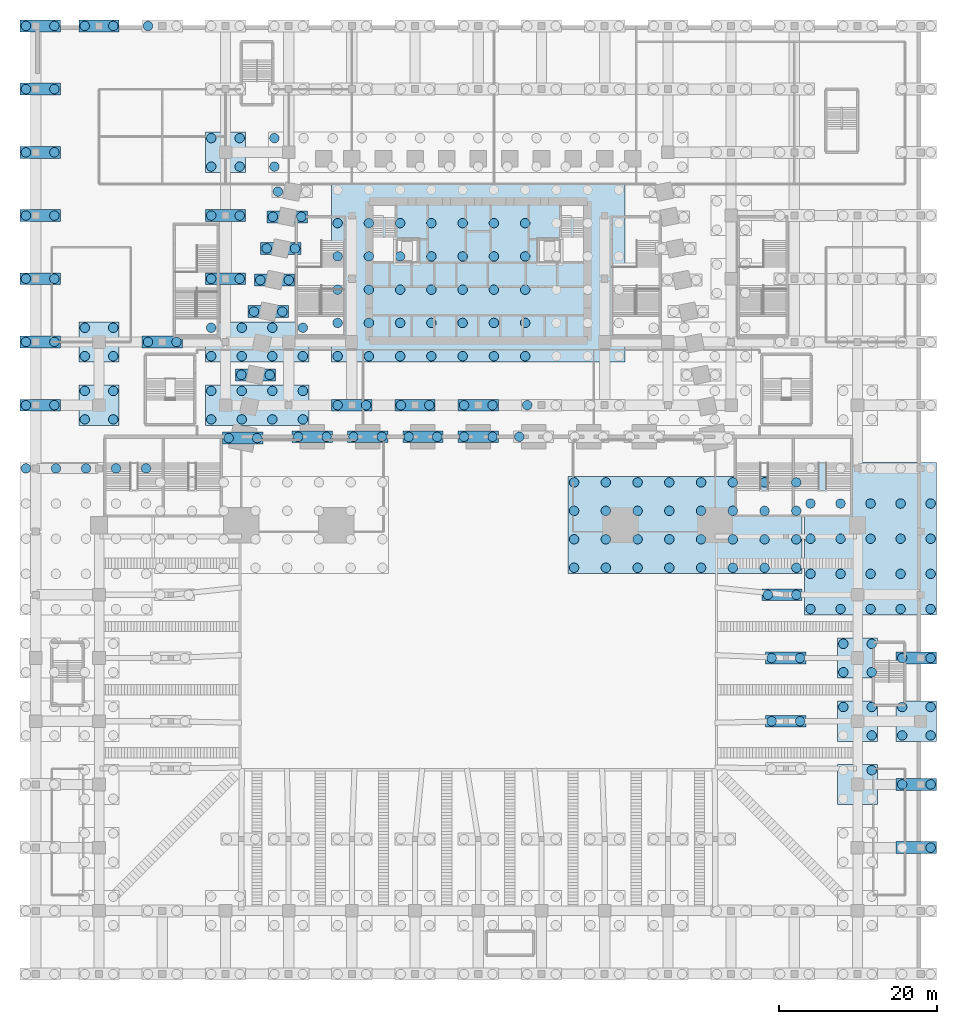
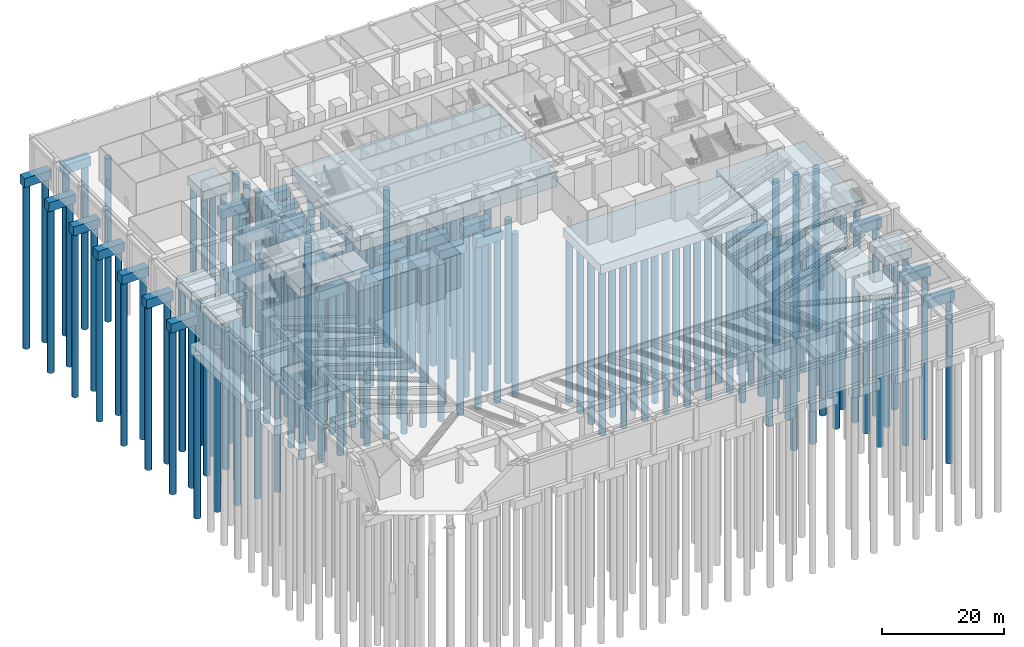
# One storey, part 2 of 30: 197 piles, 42 footings.
"""IFC4 building model written with IfcOpenShell, lengths in metres."""

from ifc_helpers import new_model, si_unit, direction, frame, origin, origin_2d, place, context, subcontext, project, spatial, rectangle, circle, extrude, material, material_profile, profile_set, type_object, element, save


model = new_model("IFC4")

# Units and contexts
model_context = context("Model", 3, precision=1e-05, world=origin(), true_north=direction((0.0, 1.0)))
body_context = subcontext(model_context, "Body", "Model", "MODEL_VIEW")
ifc_project = project(units=[si_unit("LENGTHUNIT", "METRE"), si_unit("AREAUNIT", "SQUARE_METRE"), si_unit("VOLUMEUNIT", "CUBIC_METRE"), si_unit("PLANEANGLEUNIT", "RADIAN"), si_unit("MASSUNIT", "GRAM", prefix="KILO")], contexts=[model_context])

# Site, building, storey
site_placement = place(None, origin())
site = spatial("IfcSite", under=ifc_project, at=site_placement, CompositionType="ELEMENT")
building_placement = place(site_placement, origin())
building = spatial("IfcBuilding", under=site, at=building_placement, Name="Isbrekke Arena Tower", CompositionType="ELEMENT")
storey_placement = place(building_placement, frame((0.0, 0.0, -7.0)))
storey = spatial("IfcBuildingStorey", under=building, at=storey_placement, Name="B1", CompositionType="ELEMENT", Elevation=-7.0)

# Piles
ifc_material_1 = material(Name="Concrete B45 (C45/55)", Category="concrete")
ifc_material_profile = material_profile(ifc_material_1, circle(Radius=0.60009765625, at=origin_2d()), Name="BORED PILE D1200")
ifc_profile_set = profile_set([ifc_material_profile], Name="Concrete B45 (C45/55)")
pile_type = type_object("IfcPileType", Name="P1 BORED PILE 1200", PredefinedType="BORED", material=ifc_profile_set)
for number, where, z_axis, x_axis, name in (
    (1, (57.25, -58.0, -2.300048828125), (0.0, 0.0, -1.0), (1.0, 0.0, 0.0), "P1 pile CAP-034 2.1"),
    (2, (49.800048828125, -48.199951171875, -2.300048828125), (0.0, 0.0, -1.0), (1.0, 0.0, 0.0), "P1 pile CAP-045 2.2"),
    (3, (53.64990234375, -50.0, -2.300048828125), (0.0, 0.0, -1.0), (1.0, 0.0, 0.0), "P1 pile CAP-047 1.1"),
    (4, (57.25, -50.0, -2.300048828125), (0.0, 0.0, -1.0), (1.0, 0.0, 0.0), "P1 pile CAP-047 2.1"),
    (5, (46.199951171875, -40.199951171875, -2.300048828125), (0.0, 0.0, -1.0), (1.0, 0.0, 0.0), "P1 pile CAP-052 1.2"),
    (6, (49.800048828125, -43.800048828125, -2.300048828125), (0.0, 0.0, -1.0), (1.0, 0.0, 0.0), "P1 pile CAP-052 2.1"),
    (7, (49.800048828125, -40.199951171875, -2.300048828125), (0.0, 0.0, -1.0), (1.0, 0.0, 0.0), "P1 pile CAP-052 2.2"),
    (8, (53.64990234375, -43.800048828125, -2.300048828125), (0.0, 0.0, -1.0), (1.0, 0.0, 0.0), "P1 pile CAP-053 1.1"),
    (9, (53.64990234375, -40.199951171875, -2.300048828125), (0.0, 0.0, -1.0), (1.0, 0.0, 0.0), "P1 pile CAP-053 1.2"),
    (10, (57.25, -43.800048828125, -2.300048828125), (0.0, 0.0, -1.0), (1.0, 0.0, 0.0), "P1 pile CAP-053 2.1"),
    (11, (57.25, -40.199951171875, -2.300048828125), (0.0, 0.0, -1.0), (1.0, 0.0, 0.0), "P1 pile CAP-053 2.2"),
    (12, (37.125, -42.0, -2.300048828125), (0.0, 0.0, -1.0), (1.0, 0.0, 0.0), "P1 pile CAP-055 1.1"),
    (13, (40.72509765625, -42.0, -2.300048828125), (0.0, 0.0, -1.0), (1.0, 0.0, 0.0), "P1 pile CAP-055 2.1"),
    (14, (46.199951171875, -35.800048828125, -2.300048828125), (0.0, 0.0, -1.0), (1.0, 0.0, 0.0), "P1 pile CAP-058 1.1"),
    (15, (46.199951171875, -32.199951171875, -2.300048828125), (0.0, 0.0, -1.0), (1.0, 0.0, 0.0), "P1 pile CAP-058 1.2"),
    (16, (49.800048828125, -35.800048828125, -2.300048828125), (0.0, 0.0, -1.0), (1.0, 0.0, 0.0), "P1 pile CAP-058 2.1"),
    (17, (49.800048828125, -32.199951171875, -2.300048828125), (0.0, 0.0, -1.0), (1.0, 0.0, 0.0), "P1 pile CAP-058 2.2"),
    (18, (37.125, -34.0, -2.300048828125), (0.0, 0.0, -1.0), (1.0, 0.0, 0.0), "P1 pile CAP-060 1.1"),
    (19, (40.72509765625, -34.0, -2.300048828125), (0.0, 0.0, -1.0), (1.0, 0.0, 0.0), "P1 pile CAP-060 2.1"),
    (20, (53.64990234375, -34.0, -2.300048828125), (0.0, 0.0, -1.0), (1.0, 0.0, 0.0), "P1 pile CAP-061 1.1"),
    (21, (57.25, -34.0, -2.300048828125), (0.0, 0.0, -1.0), (1.0, 0.0, 0.0), "P1 pile CAP-061 2.1"),
    (22, (-57.25, -10.0, -2.300048828125), (0.0, 0.0, -1.0), (1.0, 0.0, 0.0), "P1 pile CAP-062 1.5"),
    (23, (-53.449951171875, -10.0, -2.300048828125), (0.0, 0.0, -1.0), (1.0, 0.0, 0.0), "P1 pile CAP-062 2.5"),
    (24, (-49.64990234375, -10.0, -2.300048828125), (0.0, 0.0, -1.0), (1.0, 0.0, 0.0), "P1 pile CAP-062 3.5"),
    (25, (-45.85009765625, -10.0, -2.300048828125), (0.0, 0.0, -1.0), (1.0, 0.0, 0.0), "P1 pile CAP-062 4.5"),
    (26, (-42.050048828125, -10.0, -2.300048828125), (0.0, 0.0, -1.0), (1.0, 0.0, 0.0), "P1 pile CAP-062 5.5"),
    (27, (42.050048828125, -27.800048828125, -2.300048828125), (0.0, 0.0, -1.0), (1.0, 0.0, 0.0), "P1 pile CAP-063 1.1"),
    (28, (42.050048828125, -23.35009765625, -2.300048828125), (0.0, 0.0, -1.0), (1.0, 0.0, 0.0), "P1 pile CAP-063 1.2"),
    (29, (42.050048828125, -18.89990234375, -2.300048828125), (0.0, 0.0, -1.0), (1.0, 0.0, 0.0), "P1 pile CAP-063 1.3"),
    (30, (42.050048828125, -14.449951171875, -2.300048828125), (0.0, 0.0, -1.0), (1.0, 0.0, 0.0), "P1 pile CAP-063 1.4"),
    (31, (45.85009765625, -27.800048828125, -2.300048828125), (0.0, 0.0, -1.0), (1.0, 0.0, 0.0), "P1 pile CAP-063 2.1"),
    (32, (45.85009765625, -23.35009765625, -2.300048828125), (0.0, 0.0, -1.0), (1.0, 0.0, 0.0), "P1 pile CAP-063 2.2"),
    (33, (45.85009765625, -18.89990234375, -2.300048828125), (0.0, 0.0, -1.0), (1.0, 0.0, 0.0), "P1 pile CAP-063 2.3"),
    (34, (45.85009765625, -14.449951171875, -2.300048828125), (0.0, 0.0, -1.0), (1.0, 0.0, 0.0), "P1 pile CAP-063 2.4"),
    (35, (49.64990234375, -27.800048828125, -2.300048828125), (0.0, 0.0, -1.0), (1.0, 0.0, 0.0), "P1 pile CAP-063 3.1"),
    (36, (49.64990234375, -23.35009765625, -2.300048828125), (0.0, 0.0, -1.0), (1.0, 0.0, 0.0), "P1 pile CAP-063 3.2"),
    (37, (49.64990234375, -18.89990234375, -2.300048828125), (0.0, 0.0, -1.0), (1.0, 0.0, 0.0), "P1 pile CAP-063 3.3"),
    (38, (49.64990234375, -14.449951171875, -2.300048828125), (0.0, 0.0, -1.0), (1.0, 0.0, 0.0), "P1 pile CAP-063 3.4"),
    (39, (53.449951171875, -27.800048828125, -2.300048828125), (0.0, 0.0, -1.0), (1.0, 0.0, 0.0), "P1 pile CAP-063 4.1"),
    (40, (53.449951171875, -23.35009765625, -2.300048828125), (0.0, 0.0, -1.0), (1.0, 0.0, 0.0), "P1 pile CAP-063 4.2"),
    (41, (53.449951171875, -18.89990234375, -2.300048828125), (0.0, 0.0, -1.0), (1.0, 0.0, 0.0), "P1 pile CAP-063 4.3"),
    (42, (53.449951171875, -14.449951171875, -2.300048828125), (0.0, 0.0, -1.0), (1.0, 0.0, 0.0), "P1 pile CAP-063 4.4"),
    (43, (57.25, -27.800048828125, -2.300048828125), (0.0, 0.0, -1.0), (1.0, 0.0, 0.0), "P1 pile CAP-063 5.1"),
    (44, (57.25, -23.35009765625, -2.300048828125), (0.0, 0.0, -1.0), (1.0, 0.0, 0.0), "P1 pile CAP-063 5.2"),
    (45, (57.25, -18.89990234375, -2.300048828125), (0.0, 0.0, -1.0), (1.0, 0.0, 0.0), "P1 pile CAP-063 5.3"),
    (46, (57.25, -14.449951171875, -2.300048828125), (0.0, 0.0, -1.0), (1.0, 0.0, 0.0), "P1 pile CAP-063 5.4"),
    (47, (36.64990234375, -26.0, -2.300048828125), (0.0, 0.0, -1.0), (1.0, 0.0, 0.0), "P1 pile CAP-065 1.1"),
    (48, (40.25, -26.0, -2.300048828125), (0.0, 0.0, -1.0), (1.0, 0.0, 0.0), "P1 pile CAP-065 2.1"),
    (49, (12.125, -22.574951171875, -2.300048828125), (0.0, 0.0, -1.0), (1.0, 0.0, 0.0), "P1 pile CAP-067 1.1"),
    (50, (12.125, -18.97509765625, -2.300048828125), (0.0, 0.0, -1.0), (1.0, 0.0, 0.0), "P1 pile CAP-067 1.2"),
    (51, (12.125, -15.375, -2.300048828125), (0.0, 0.0, -1.0), (1.0, 0.0, 0.0), "P1 pile CAP-067 1.3"),
    (52, (12.125, -11.77490234375, -2.300048828125), (0.0, 0.0, -1.0), (1.0, 0.0, 0.0), "P1 pile CAP-067 1.4"),
    (53, (16.142822265625, -22.574951171875, -2.300048828125), (0.0, 0.0, -1.0), (1.0, 0.0, 0.0), "P1 pile CAP-067 2.1"),
    (54, (16.142822265625, -18.97509765625, -2.300048828125), (0.0, 0.0, -1.0), (1.0, 0.0, 0.0), "P1 pile CAP-067 2.2"),
    (55, (16.142822265625, -15.375, -2.300048828125), (0.0, 0.0, -1.0), (1.0, 0.0, 0.0), "P1 pile CAP-067 2.3"),
    (56, (16.142822265625, -11.77490234375, -2.300048828125), (0.0, 0.0, -1.0), (1.0, 0.0, 0.0), "P1 pile CAP-067 2.4"),
    (57, (20.16064453125, -22.574951171875, -2.300048828125), (0.0, 0.0, -1.0), (1.0, 0.0, 0.0), "P1 pile CAP-067 3.1"),
    (58, (20.16064453125, -18.97509765625, -2.300048828125), (0.0, 0.0, -1.0), (1.0, 0.0, 0.0), "P1 pile CAP-067 3.2"),
    (59, (20.16064453125, -15.375, -2.300048828125), (0.0, 0.0, -1.0), (1.0, 0.0, 0.0), "P1 pile CAP-067 3.3"),
    (60, (20.16064453125, -11.77490234375, -2.300048828125), (0.0, 0.0, -1.0), (1.0, 0.0, 0.0), "P1 pile CAP-067 3.4"),
    (61, (24.178466796875, -22.574951171875, -2.300048828125), (0.0, 0.0, -1.0), (1.0, 0.0, 0.0), "P1 pile CAP-067 4.1"),
    (62, (24.178466796875, -18.97509765625, -2.300048828125), (0.0, 0.0, -1.0), (1.0, 0.0, 0.0), "P1 pile CAP-067 4.2"),
    (63, (24.178466796875, -15.375, -2.300048828125), (0.0, 0.0, -1.0), (1.0, 0.0, 0.0), "P1 pile CAP-067 4.3"),
    (64, (24.178466796875, -11.77490234375, -2.300048828125), (0.0, 0.0, -1.0), (1.0, 0.0, 0.0), "P1 pile CAP-067 4.4"),
    (65, (28.196533203125, -22.574951171875, -2.300048828125), (0.0, 0.0, -1.0), (1.0, 0.0, 0.0), "P1 pile CAP-067 5.1"),
    (66, (28.196533203125, -18.97509765625, -2.300048828125), (0.0, 0.0, -1.0), (1.0, 0.0, 0.0), "P1 pile CAP-067 5.2"),
    (67, (28.196533203125, -15.375, -2.300048828125), (0.0, 0.0, -1.0), (1.0, 0.0, 0.0), "P1 pile CAP-067 5.3"),
    (68, (28.196533203125, -11.77490234375, -2.300048828125), (0.0, 0.0, -1.0), (1.0, 0.0, 0.0), "P1 pile CAP-067 5.4"),
    (69, (32.21435546875, -22.574951171875, -2.300048828125), (0.0, 0.0, -1.0), (1.0, 0.0, 0.0), "P1 pile CAP-067 6.1"),
    (70, (32.21435546875, -18.97509765625, -2.300048828125), (0.0, 0.0, -1.0), (1.0, 0.0, 0.0), "P1 pile CAP-067 6.2"),
    (71, (32.21435546875, -15.375, -2.300048828125), (0.0, 0.0, -1.0), (1.0, 0.0, 0.0), "P1 pile CAP-067 6.3"),
    (72, (32.21435546875, -11.77490234375, -2.300048828125), (0.0, 0.0, -1.0), (1.0, 0.0, 0.0), "P1 pile CAP-067 6.4"),
    (73, (36.232177734375, -22.574951171875, -2.300048828125), (0.0, 0.0, -1.0), (1.0, 0.0, 0.0), "P1 pile CAP-067 7.1"),
    (74, (36.232177734375, -18.97509765625, -2.300048828125), (0.0, 0.0, -1.0), (1.0, 0.0, 0.0), "P1 pile CAP-067 7.2"),
    (75, (36.232177734375, -15.375, -2.300048828125), (0.0, 0.0, -1.0), (1.0, 0.0, 0.0), "P1 pile CAP-067 7.3"),
    (76, (36.232177734375, -11.77490234375, -2.300048828125), (0.0, 0.0, -1.0), (1.0, 0.0, 0.0), "P1 pile CAP-067 7.4"),
    (77, (40.25, -22.574951171875, -2.300048828125), (0.0, 0.0, -1.0), (1.0, 0.0, 0.0), "P1 pile CAP-067 8.1"),
    (78, (40.25, -18.97509765625, -2.300048828125), (0.0, 0.0, -1.0), (1.0, 0.0, 0.0), "P1 pile CAP-067 8.2"),
    (79, (40.25, -15.375, -2.300048828125), (0.0, 0.0, -1.0), (1.0, 0.0, 0.0), "P1 pile CAP-067 8.3"),
    (80, (40.25, -11.77490234375, -2.300048828125), (0.0, 0.0, -1.0), (1.0, 0.0, 0.0), "P1 pile CAP-067 8.4"),
    (81, (-31.591064453125, -6.161865234375, -2.300048828125), (0.0, 0.0, -1.0), (1.0, 0.0, 0.0), "P1 pile CAP-068 1.1"),
    (82, (-27.990966796875, -6.161865234375, -2.300048828125), (0.0, 0.0, -1.0), (1.0, 0.0, 0.0), "P1 pile CAP-068 2.1"),
    (83, (-22.800048828125, -6.0, -2.300048828125), (0.0, 0.0, -1.0), (1.0, 0.0, 0.0), "P1 pile CAP-070 1.1"),
    (84, (-19.199951171875, -6.0, -2.300048828125), (0.0, 0.0, -1.0), (1.0, 0.0, 0.0), "P1 pile CAP-070 2.1"),
    (85, (-15.800048828125, -6.0, -2.300048828125), (0.0, 0.0, -1.0), (1.0, 0.0, 0.0), "P1 pile CAP-071 1.1"),
    (86, (-12.199951171875, -6.0, -2.300048828125), (0.0, 0.0, -1.0), (1.0, 0.0, 0.0), "P1 pile CAP-071 2.1"),
    (87, (-8.800048828125, -6.0, -2.300048828125), (0.0, 0.0, -1.0), (1.0, 0.0, 0.0), "P1 pile CAP-072 1.1"),
    (88, (-5.199951171875, -6.0, -2.300048828125), (0.0, 0.0, -1.0), (1.0, 0.0, 0.0), "P1 pile CAP-072 2.1"),
    (89, (-1.800048828125, -6.0, -2.300048828125), (0.0, 0.0, -1.0), (1.0, 0.0, 0.0), "P1 pile CAP-073 1.1"),
    (90, (1.800048828125, -6.0, -2.300048828125), (0.0, 0.0, -1.0), (1.0, 0.0, 0.0), "P1 pile CAP-073 2.1"),
    (91, (5.199951171875, -6.0, -2.300048828125), (0.0, 0.0, -1.0), (1.0, 0.0, 0.0), "P1 pile CAP-074 1.1"),
    (92, (-49.800048828125, -3.800048828125, -2.300048828125), (0.0, 0.0, -1.0), (1.0, 0.0, 0.0), "P1 pile CAP-077 1.1"),
    (93, (-49.800048828125, -0.199951171875, -2.300048828125), (0.0, 0.0, -1.0), (1.0, 0.0, 0.0), "P1 pile CAP-077 1.2"),
    (94, (-46.199951171875, -3.800048828125, -2.300048828125), (0.0, 0.0, -1.0), (1.0, 0.0, 0.0), "P1 pile CAP-077 2.1"),
    (95, (-46.199951171875, -0.199951171875, -2.300048828125), (0.0, 0.0, -1.0), (1.0, 0.0, 0.0), "P1 pile CAP-077 2.2"),
    (96, (-33.800048828125, -3.800048828125, -2.300048828125), (0.0, 0.0, -1.0), (1.0, 0.0, 0.0), "P1 pile CAP-078 1.1"),
    (97, (-33.800048828125, -0.199951171875, -2.300048828125), (0.0, 0.0, -1.0), (1.0, 0.0, 0.0), "P1 pile CAP-078 1.2"),
    (98, (-29.933349609375, -3.800048828125, -2.300048828125), (0.0, 0.0, -1.0), (1.0, 0.0, 0.0), "P1 pile CAP-078 2.1"),
    (99, (-29.933349609375, -0.199951171875, -2.300048828125), (0.0, 0.0, -1.0), (1.0, 0.0, 0.0), "P1 pile CAP-078 2.2"),
    (100, (-26.066650390625, -3.800048828125, -2.300048828125), (0.0, 0.0, -1.0), (1.0, 0.0, 0.0), "P1 pile CAP-078 3.1"),
    (101, (-26.066650390625, -0.199951171875, -2.300048828125), (0.0, 0.0, -1.0), (1.0, 0.0, 0.0), "P1 pile CAP-078 3.2"),
    (102, (-22.199951171875, -3.800048828125, -2.300048828125), (0.0, 0.0, -1.0), (1.0, 0.0, 0.0), "P1 pile CAP-078 4.1"),
    (103, (-22.199951171875, -0.199951171875, -2.300048828125), (0.0, 0.0, -1.0), (1.0, 0.0, 0.0), "P1 pile CAP-078 4.2"),
    (104, (-57.25, -2.0, -2.300048828125), (0.0, 0.0, -1.0), (1.0, 0.0, 0.0), "P1 pile CAP-081 1.1"),
    (105, (-53.64990234375, -2.0, -2.300048828125), (0.0, 0.0, -1.0), (1.0, 0.0, 0.0), "P1 pile CAP-081 2.1"),
    (106, (-17.800048828125, -2.0, -2.300048828125), (0.0, 0.0, -1.0), (1.0, 0.0, 0.0), "P1 pile CAP-082 1.1"),
    (107, (-14.199951171875, -2.0, -2.300048828125), (0.0, 0.0, -1.0), (1.0, 0.0, 0.0), "P1 pile CAP-082 2.1"),
    (108, (-9.800048828125, -2.0, -2.300048828125), (0.0, 0.0, -1.0), (1.0, 0.0, 0.0), "P1 pile CAP-083 1.1"),
    (109, (-6.199951171875, -2.0, -2.300048828125), (0.0, 0.0, -1.0), (1.0, 0.0, 0.0), "P1 pile CAP-083 2.1"),
    (110, (-1.800048828125, -2.0, -2.300048828125), (0.0, 0.0, -1.0), (1.0, 0.0, 0.0), "P1 pile CAP-084 1.1"),
    (111, (1.800048828125, -2.0, -2.300048828125), (0.0, 0.0, -1.0), (1.0, 0.0, 0.0), "P1 pile CAP-084 2.1"),
    (112, (6.199951171875, -2.0, -2.300048828125), (0.0, 0.0, -1.0), (1.0, 0.0, 0.0), "P1 pile CAP-085 1.1"),
    (113, (-29.990966796875, 1.838134765625, -2.300048828125), (0.0, 0.0, -1.0), (1.0, 0.0, 0.0), "P1 pile CAP-088 1.1"),
    (114, (-26.39111328125, 1.838134765625, -2.300048828125), (0.0, 0.0, -1.0), (1.0, 0.0, 0.0), "P1 pile CAP-088 2.1"),
    (115, (-49.800048828125, 4.199951171875, -2.300048828125), (0.0, 0.0, -1.0), (1.0, 0.0, 0.0), "P1 pile CAP-090 1.1"),
    (116, (-49.800048828125, 7.800048828125, -2.300048828125), (0.0, 0.0, -1.0), (1.0, 0.0, 0.0), "P1 pile CAP-090 1.2"),
    (117, (-46.199951171875, 4.199951171875, -2.300048828125), (0.0, 0.0, -1.0), (1.0, 0.0, 0.0), "P1 pile CAP-090 2.1"),
    (118, (-46.199951171875, 7.800048828125, -2.300048828125), (0.0, 0.0, -1.0), (1.0, 0.0, 0.0), "P1 pile CAP-090 2.2"),
    (119, (-33.800048828125, 4.199951171875, -2.300048828125), (0.0, 0.0, -1.0), (1.0, 0.0, 0.0), "P1 pile CAP-091 1.1"),
    (120, (-33.800048828125, 7.800048828125, -2.300048828125), (0.0, 0.0, -1.0), (1.0, 0.0, 0.0), "P1 pile CAP-091 1.2"),
    (121, (-29.933349609375, 4.199951171875, -2.300048828125), (0.0, 0.0, -1.0), (1.0, 0.0, 0.0), "P1 pile CAP-091 2.1"),
    (122, (-29.933349609375, 7.800048828125, -2.300048828125), (0.0, 0.0, -1.0), (1.0, 0.0, 0.0), "P1 pile CAP-091 2.2"),
    (123, (-26.066650390625, 4.199951171875, -2.300048828125), (0.0, 0.0, -1.0), (1.0, 0.0, 0.0), "P1 pile CAP-091 3.1"),
    (124, (-26.066650390625, 7.800048828125, -2.300048828125), (0.0, 0.0, -1.0), (1.0, 0.0, 0.0), "P1 pile CAP-091 3.2"),
    (125, (-22.199951171875, 4.199951171875, -2.300048828125), (0.0, 0.0, -1.0), (1.0, 0.0, 0.0), "P1 pile CAP-091 4.1"),
    (126, (-22.199951171875, 7.800048828125, -2.300048828125), (0.0, 0.0, -1.0), (1.0, 0.0, 0.0), "P1 pile CAP-091 4.2"),
):
    element("IfcPile", number, at=place(storey_placement, frame(where, z_axis=z_axis, x_axis=x_axis)), inside=storey, type_object=pile_type, Name=name, PredefinedType="BORED", context=body_context, shape_type="SweptSolid", body=[
        extrude(circle(Radius=0.60009765625, at=origin_2d()), origin(), (0.0, 0.0, 1.0), 32.699951171875),
    ])
for number, where, z_axis, x_axis, name in (
    (127, (-17.800048828125, 4.199951171875, -3.5), (0.0, 0.0, -1.0), (1.0, 0.0, 0.0), "P1 pile CAP-092 1.1"),
    (128, (-17.800048828125, 8.409912109375, -3.5), (0.0, 0.0, -1.0), (1.0, 0.0, 0.0), "P1 pile CAP-092 1.2"),
    (129, (-17.800048828125, 12.6201171875, -3.5), (0.0, 0.0, -1.0), (1.0, 0.0, 0.0), "P1 pile CAP-092 1.3"),
    (130, (-17.800048828125, 16.830078125, -3.5), (0.0, 0.0, -1.0), (1.0, 0.0, 0.0), "P1 pile CAP-092 1.4"),
    (131, (-17.800048828125, 21.0400390625, -3.5), (0.0, 0.0, -1.0), (1.0, 0.0, 0.0), "P1 pile CAP-092 1.5"),
    (132, (-13.844482421875, 4.199951171875, -3.5), (0.0, 0.0, -1.0), (1.0, 0.0, 0.0), "P1 pile CAP-092 2.1"),
    (133, (-13.844482421875, 8.409912109375, -3.5), (0.0, 0.0, -1.0), (1.0, 0.0, 0.0), "P1 pile CAP-092 2.2"),
    (134, (-13.844482421875, 12.6201171875, -3.5), (0.0, 0.0, -1.0), (1.0, 0.0, 0.0), "P1 pile CAP-092 2.3"),
    (135, (-13.844482421875, 16.830078125, -3.5), (0.0, 0.0, -1.0), (1.0, 0.0, 0.0), "P1 pile CAP-092 2.4"),
    (136, (-13.844482421875, 21.0400390625, -3.5), (0.0, 0.0, -1.0), (1.0, 0.0, 0.0), "P1 pile CAP-092 2.5"),
    (137, (-9.888916015625, 4.199951171875, -3.5), (0.0, 0.0, -1.0), (1.0, 0.0, 0.0), "P1 pile CAP-092 3.1"),
    (138, (-9.888916015625, 8.409912109375, -3.5), (0.0, 0.0, -1.0), (1.0, 0.0, 0.0), "P1 pile CAP-092 3.2"),
    (139, (-9.888916015625, 12.6201171875, -3.5), (0.0, 0.0, -1.0), (1.0, 0.0, 0.0), "P1 pile CAP-092 3.3"),
    (140, (-9.888916015625, 16.830078125, -3.5), (0.0, 0.0, -1.0), (1.0, 0.0, 0.0), "P1 pile CAP-092 3.4"),
    (141, (-9.888916015625, 21.0400390625, -3.5), (0.0, 0.0, -1.0), (1.0, 0.0, 0.0), "P1 pile CAP-092 3.5"),
    (142, (-5.933349609375, 4.199951171875, -3.5), (0.0, 0.0, -1.0), (1.0, 0.0, 0.0), "P1 pile CAP-092 4.1"),
    (143, (-5.933349609375, 8.409912109375, -3.5), (0.0, 0.0, -1.0), (1.0, 0.0, 0.0), "P1 pile CAP-092 4.2"),
    (144, (-5.933349609375, 12.6201171875, -3.5), (0.0, 0.0, -1.0), (1.0, 0.0, 0.0), "P1 pile CAP-092 4.3"),
    (145, (-5.933349609375, 16.830078125, -3.5), (0.0, 0.0, -1.0), (1.0, 0.0, 0.0), "P1 pile CAP-092 4.4"),
    (146, (-5.933349609375, 21.0400390625, -3.5), (0.0, 0.0, -1.0), (1.0, 0.0, 0.0), "P1 pile CAP-092 4.5"),
    (147, (-1.977783203125, 4.199951171875, -3.5), (0.0, 0.0, -1.0), (1.0, 0.0, 0.0), "P1 pile CAP-092 5.1"),
    (148, (-1.977783203125, 8.409912109375, -3.5), (0.0, 0.0, -1.0), (1.0, 0.0, 0.0), "P1 pile CAP-092 5.2"),
    (149, (-1.977783203125, 12.6201171875, -3.5), (0.0, 0.0, -1.0), (1.0, 0.0, 0.0), "P1 pile CAP-092 5.3"),
    (150, (-1.977783203125, 16.830078125, -3.5), (0.0, 0.0, -1.0), (1.0, 0.0, 0.0), "P1 pile CAP-092 5.4"),
    (151, (-1.977783203125, 21.0400390625, -3.5), (0.0, 0.0, -1.0), (1.0, 0.0, 0.0), "P1 pile CAP-092 5.5"),
    (152, (1.977783203125, 4.199951171875, -3.5), (0.0, 0.0, -1.0), (1.0, 0.0, 0.0), "P1 pile CAP-092 6.1"),
    (153, (1.977783203125, 8.409912109375, -3.5), (0.0, 0.0, -1.0), (1.0, 0.0, 0.0), "P1 pile CAP-092 6.2"),
    (154, (1.977783203125, 12.6201171875, -3.5), (0.0, 0.0, -1.0), (1.0, 0.0, 0.0), "P1 pile CAP-092 6.3"),
    (155, (1.977783203125, 16.830078125, -3.5), (0.0, 0.0, -1.0), (1.0, 0.0, 0.0), "P1 pile CAP-092 6.4"),
    (156, (1.977783203125, 21.0400390625, -3.5), (0.0, 0.0, -1.0), (1.0, 0.0, 0.0), "P1 pile CAP-092 6.5"),
    (157, (5.933349609375, 4.199951171875, -3.5), (0.0, 0.0, -1.0), (1.0, 0.0, 0.0), "P1 pile CAP-092 7.1"),
    (158, (5.933349609375, 8.409912109375, -3.5), (0.0, 0.0, -1.0), (1.0, 0.0, 0.0), "P1 pile CAP-092 7.2"),
    (159, (5.933349609375, 12.6201171875, -3.5), (0.0, 0.0, -1.0), (1.0, 0.0, 0.0), "P1 pile CAP-092 7.3"),
    (160, (5.933349609375, 16.830078125, -3.5), (0.0, 0.0, -1.0), (1.0, 0.0, 0.0), "P1 pile CAP-092 7.4"),
    (161, (5.933349609375, 21.0400390625, -3.5), (0.0, 0.0, -1.0), (1.0, 0.0, 0.0), "P1 pile CAP-092 7.5"),
):
    element("IfcPile", number, at=place(storey_placement, frame(where, z_axis=z_axis, x_axis=x_axis)), inside=storey, type_object=pile_type, Name=name, PredefinedType="BORED", context=body_context, shape_type="SweptSolid", body=[
        extrude(circle(Radius=0.60009765625, at=origin_2d()), origin(), (0.0, 0.0, 1.0), 31.5),
    ])
for number, where, z_axis, x_axis, name in (
    (162, (-57.25, 6.0, -2.300048828125), (0.0, 0.0, -1.0), (1.0, 0.0, 0.0), "P1 pile CAP-094 1.1"),
    (163, (-53.64990234375, 6.0, -2.300048828125), (0.0, 0.0, -1.0), (1.0, 0.0, 0.0), "P1 pile CAP-094 2.1"),
    (164, (-41.800048828125, 6.0, -2.300048828125), (0.0, 0.0, -1.0), (1.0, 0.0, 0.0), "P1 pile CAP-095 1.1"),
    (165, (-38.199951171875, 6.0, -2.300048828125), (0.0, 0.0, -1.0), (1.0, 0.0, 0.0), "P1 pile CAP-095 2.1"),
    (166, (-28.39111328125, 9.838134765625, -2.300048828125), (0.0, 0.0, -1.0), (1.0, 0.0, 0.0), "P1 pile CAP-099 1.1"),
    (167, (-24.791015625, 9.838134765625, -2.300048828125), (0.0, 0.0, -1.0), (1.0, 0.0, 0.0), "P1 pile CAP-099 2.1"),
    (168, (-27.591064453125, 13.838134765625, -2.300048828125), (0.0, 0.0, -1.0), (1.0, 0.0, 0.0), "P1 pile CAP-102 1.1"),
    (169, (-23.990966796875, 13.838134765625, -2.300048828125), (0.0, 0.0, -1.0), (1.0, 0.0, 0.0), "P1 pile CAP-102 2.1"),
    (170, (-57.25, 14.0, -2.300048828125), (0.0, 0.0, -1.0), (1.0, 0.0, 0.0), "P1 pile CAP-104 1.1"),
    (171, (-53.64990234375, 14.0, -2.300048828125), (0.0, 0.0, -1.0), (1.0, 0.0, 0.0), "P1 pile CAP-104 2.1"),
    (172, (-33.800048828125, 14.0, -2.300048828125), (0.0, 0.0, -1.0), (1.0, 0.0, 0.0), "P1 pile CAP-105 1.1"),
    (173, (-30.199951171875, 14.0, -2.300048828125), (0.0, 0.0, -1.0), (1.0, 0.0, 0.0), "P1 pile CAP-105 2.1"),
    (174, (-26.791015625, 17.838134765625, -2.300048828125), (0.0, 0.0, -1.0), (1.0, 0.0, 0.0), "P1 pile CAP-109 1.1"),
    (175, (-23.19091796875, 17.838134765625, -2.300048828125), (0.0, 0.0, -1.0), (1.0, 0.0, 0.0), "P1 pile CAP-109 2.1"),
    (176, (-25.990966796875, 21.838134765625, -2.300048828125), (0.0, 0.0, -1.0), (1.0, 0.0, 0.0), "P1 pile CAP-112 1.1"),
    (177, (-22.39111328125, 21.838134765625, -2.300048828125), (0.0, 0.0, -1.0), (1.0, 0.0, 0.0), "P1 pile CAP-112 2.1"),
    (178, (-57.25, 22.0, -2.300048828125), (0.0, 0.0, -1.0), (1.0, 0.0, 0.0), "P1 pile CAP-114 1.1"),
    (179, (-53.64990234375, 22.0, -2.300048828125), (0.0, 0.0, -1.0), (1.0, 0.0, 0.0), "P1 pile CAP-114 2.1"),
    (180, (-33.800048828125, 22.0, -2.300048828125), (0.0, 0.0, -1.0), (1.0, 0.0, 0.0), "P1 pile CAP-115 1.1"),
    (181, (-30.199951171875, 22.0, -2.300048828125), (0.0, 0.0, -1.0), (1.0, 0.0, 0.0), "P1 pile CAP-115 2.1"),
    (182, (-25.352783203125, 25.029296875, -2.300048828125), (0.0, 0.0, -1.0), (1.0, 0.0, 0.0), "P1 pile CAP-119 1.1"),
    (183, (-33.800048828125, 28.199951171875, -2.300048828125), (0.0, 0.0, -1.0), (1.0, 0.0, 0.0), "P1 pile CAP-121 1.1"),
    (184, (-33.800048828125, 31.800048828125, -2.300048828125), (0.0, 0.0, -1.0), (1.0, 0.0, 0.0), "P1 pile CAP-121 1.2"),
    (185, (-30.199951171875, 28.199951171875, -2.300048828125), (0.0, 0.0, -1.0), (1.0, 0.0, 0.0), "P1 pile CAP-121 2.1"),
    (186, (-30.199951171875, 31.800048828125, -2.300048828125), (0.0, 0.0, -1.0), (1.0, 0.0, 0.0), "P1 pile CAP-121 2.2"),
    (187, (-25.800048828125, 28.199951171875, -2.300048828125), (0.0, 0.0, -1.0), (1.0, 0.0, 0.0), "P1 pile CAP-122 1.1"),
    (188, (-25.800048828125, 31.800048828125, -2.300048828125), (0.0, 0.0, -1.0), (1.0, 0.0, 0.0), "P1 pile CAP-122 1.2"),
    (189, (-57.25, 30.0, -2.300048828125), (0.0, 0.0, -1.0), (1.0, 0.0, 0.0), "P1 pile CAP-123 1.1"),
    (190, (-53.64990234375, 30.0, -2.300048828125), (0.0, 0.0, -1.0), (1.0, 0.0, 0.0), "P1 pile CAP-123 2.1"),
    (191, (-57.25, 38.0, -2.300048828125), (0.0, 0.0, -1.0), (1.0, 0.0, 0.0), "P1 pile CAP-127 1.1"),
    (192, (-53.64990234375, 38.0, -2.300048828125), (0.0, 0.0, -1.0), (1.0, 0.0, 0.0), "P1 pile CAP-127 2.1"),
    (193, (-57.25, 46.0, -2.300048828125), (0.0, 0.0, -1.0), (1.0, 0.0, 0.0), "P1 pile CAP-139 1.1"),
    (194, (-53.64990234375, 46.0, -2.300048828125), (0.0, 0.0, -1.0), (1.0, 0.0, 0.0), "P1 pile CAP-139 2.1"),
    (195, (-49.800048828125, 46.0, -2.300048828125), (0.0, 0.0, -1.0), (1.0, 0.0, 0.0), "P1 pile CAP-140 1.1"),
    (196, (-46.199951171875, 46.0, -2.300048828125), (0.0, 0.0, -1.0), (1.0, 0.0, 0.0), "P1 pile CAP-140 2.1"),
    (197, (-41.800048828125, 46.0, -2.300048828125), (0.0, 0.0, -1.0), (1.0, 0.0, 0.0), "P1 pile CAP-141 1.1"),
):
    element("IfcPile", number, at=place(storey_placement, frame(where, z_axis=z_axis, x_axis=x_axis)), inside=storey, type_object=pile_type, Name=name, PredefinedType="BORED", context=body_context, shape_type="SweptSolid", body=[
        extrude(circle(Radius=0.60009765625, at=origin_2d()), origin(), (0.0, 0.0, 1.0), 32.699951171875),
    ])

# Footings
ifc_material_2 = material(Name="Concrete B45 (C45/55)", Category="concrete")
footing_type_1 = type_object("IfcFootingType", Name="PC1 PILE CAP 5100 x 1500 x 1800", PredefinedType="PILE_CAP", material=ifc_material_2)
for number, where, z_axis, x_axis, name in (
    (198, (55.449951171875, -58.0, -2.39990234375), (0.0, 0.0, 1.0), (1.0, 0.0, 0.0), "PC1 pile cap PC15"),
    (199, (55.449951171875, -50.0, -2.39990234375), (0.0, 0.0, 1.0), (1.0, 0.0, 0.0), "PC1 pile cap PD15"),
    (200, (38.925048828125, -42.0, -2.39990234375), (0.0, 0.0, 1.0), (1.0, 0.0, 0.0), "PC1 pile cap RE42"),
    (201, (38.925048828125, -34.0, -2.39990234375), (0.0, 0.0, 1.0), (1.0, 0.0, 0.0), "PC1 pile cap RE34"),
    (202, (55.449951171875, -34.0, -2.39990234375), (0.0, 0.0, 1.0), (1.0, 0.0, 0.0), "PC1 pile cap PF15"),
    (203, (38.449951171875, -26.0, -2.39990234375), (0.0, 0.0, 1.0), (1.0, 0.0, 0.0), "PC1 pile cap RE26"),
    (204, (-29.791015625, -6.161865234375, -2.39990234375), (0.0, 0.0, 1.0), (1.0, 0.0, 0.0), "PC1 pile cap W09"),
    (205, (-21.0, -6.0, -2.39990234375), (0.0, 0.0, 1.0), (1.0, 0.0, 0.0), "PC1 pile cap I01"),
    (206, (-14.0, -6.0, -2.39990234375), (0.0, 0.0, 1.0), (1.0, 0.0, 0.0), "PC1 pile cap I02"),
    (207, (-7.0, -6.0, -2.39990234375), (0.0, 0.0, 1.0), (1.0, 0.0, 0.0), "PC1 pile cap I03"),
    (208, (0.0, -6.0, -2.39990234375), (0.0, 0.0, 1.0), (1.0, 0.0, 0.0), "PC1 pile cap I04"),
    (209, (-55.449951171875, -2.0, -2.39990234375), (0.0, 0.0, 1.0), (1.0, 0.0, 0.0), "PC1 pile cap PJ1"),
    (210, (-16.0, -2.0, -2.39990234375), (0.0, 0.0, 1.0), (1.0, 0.0, 0.0), "PC1 pile cap PJ6"),
    (211, (-8.0, -2.0, -2.39990234375), (0.0, 0.0, 1.0), (1.0, 0.0, 0.0), "PC1 pile cap PJ7"),
    (212, (0.0, -2.0, -2.39990234375), (0.0, 0.0, 1.0), (1.0, 0.0, 0.0), "PC1 pile cap PJ8"),
    (213, (-28.19091796875, 1.838134765625, -2.39990234375), (0.0, 0.0, 1.0), (1.0, 0.0, 0.0), "PC1 pile cap W07"),
    (214, (-55.449951171875, 6.0, -2.39990234375), (0.0, 0.0, 1.0), (1.0, 0.0, 0.0), "PC1 pile cap PK1"),
    (215, (-40.0, 6.0, -2.39990234375), (0.0, 0.0, 1.0), (1.0, 0.0, 0.0), "PC1 pile cap PK3"),
    (216, (-26.591064453125, 9.838134765625, -2.39990234375), (0.0, 0.0, 1.0), (1.0, 0.0, 0.0), "PC1 pile cap W05"),
    (217, (-25.791015625, 13.838134765625, -2.39990234375), (0.0, 0.0, 1.0), (1.0, 0.0, 0.0), "PC1 pile cap W04"),
    (218, (-55.449951171875, 14.0, -2.39990234375), (0.0, 0.0, 1.0), (1.0, 0.0, 0.0), "PC1 pile cap PL1"),
    (219, (-32.0, 14.0, -2.39990234375), (0.0, 0.0, 1.0), (1.0, 0.0, 0.0), "PC1 pile cap PL4"),
    (220, (-24.990966796875, 17.838134765625, -2.39990234375), (0.0, 0.0, 1.0), (1.0, 0.0, 0.0), "PC1 pile cap W03"),
    (221, (-24.19091796875, 21.838134765625, -2.39990234375), (0.0, 0.0, 1.0), (1.0, 0.0, 0.0), "PC1 pile cap W02"),
    (222, (-55.449951171875, 22.0, -2.39990234375), (0.0, 0.0, 1.0), (1.0, 0.0, 0.0), "PC1 pile cap PM1"),
    (223, (-32.0, 22.0, -2.39990234375), (0.0, 0.0, 1.0), (1.0, 0.0, 0.0), "PC1 pile cap PM4"),
    (224, (-55.449951171875, 30.0, -2.39990234375), (0.0, 0.0, 1.0), (1.0, 0.0, 0.0), "PC1 pile cap PN1"),
    (225, (-55.449951171875, 38.0, -2.39990234375), (0.0, 0.0, 1.0), (1.0, 0.0, 0.0), "PC1 pile cap PO1"),
    (226, (-55.449951171875, 46.0, -2.39990234375), (0.0, 0.0, 1.0), (1.0, 0.0, 0.0), "PC1 pile cap PP1"),
    (227, (-48.0, 46.0, -2.39990234375), (0.0, 0.0, 1.0), (1.0, 0.0, 0.0), "PC1 pile cap PP2"),
):
    element("IfcFooting", number, at=place(storey_placement, frame(where, z_axis=z_axis, x_axis=x_axis)), inside=storey, type_object=footing_type_1, Name=name, PredefinedType="PILE_CAP", context=body_context, shape_type="SweptSolid", body=[
        extrude(rectangle(XDim=5.10009765625, YDim=1.5, at=origin_2d()), origin(), (0.0, 0.0, 1.0), 1.800048828125),
    ])
ifc_material_3 = material(Name="Concrete B45 (C45/55)", Category="concrete")
footing_type_2 = type_object("IfcFootingType", Name="PC2 PILE CAP 5100 x 5100 x 1800", PredefinedType="PILE_CAP", material=ifc_material_3)
for number, where, z_axis, x_axis, name in (
    (228, (48.0, -50.0, -2.39990234375), (0.0, 0.0, 1.0), (1.0, 0.0, 0.0), "PC2 pile cap PD14"),
    (229, (48.0, -42.0, -2.39990234375), (0.0, 0.0, 1.0), (1.0, 0.0, 0.0), "PC2 pile cap PE14"),
    (230, (55.449951171875, -42.0, -2.39990234375), (0.0, 0.0, 1.0), (1.0, 0.0, 0.0), "PC2 pile cap PE15"),
    (231, (48.0, -34.0, -2.39990234375), (0.0, 0.0, 1.0), (1.0, 0.0, 0.0), "PC2 pile cap PF14"),
    (232, (-48.0, -2.0, -2.39990234375), (0.0, 0.0, 1.0), (1.0, 0.0, 0.0), "PC2 pile cap PJ2"),
    (233, (-48.0, 6.0, -2.39990234375), (0.0, 0.0, 1.0), (1.0, 0.0, 0.0), "PC2 pile cap PK2"),
    (234, (-32.0, 30.0, -2.39990234375), (0.0, 0.0, 1.0), (1.0, 0.0, 0.0), "PC2 pile cap PN4"),
):
    element("IfcFooting", number, at=place(storey_placement, frame(where, z_axis=z_axis, x_axis=x_axis)), inside=storey, type_object=footing_type_2, Name=name, PredefinedType="PILE_CAP", context=body_context, shape_type="SweptSolid", body=[
        extrude(rectangle(XDim=5.10009765625, YDim=5.10009765625, at=origin_2d()), origin(), (0.0, 0.0, 1.0), 1.800048828125),
    ])
ifc_material_4 = material(Name="Concrete B45 (C45/55)", Category="concrete")
footing_type_3 = type_object("IfcFootingType", Name="PC5 PILE CAP 16700 x 19300 x 1800", PredefinedType="PILE_CAP", material=ifc_material_4)
footing_1_placement = place(storey_placement, frame((49.64990234375, -18.89990234375, -2.39990234375), z_axis=(0.0, 0.0, 1.0), x_axis=(1.0, 0.0, 0.0)))
element("IfcFooting", 235, at=footing_1_placement, inside=storey, type_object=footing_type_3, Name="PC5 pile cap PG14+MCE+PI14+PG15+PH15+PI15", PredefinedType="PILE_CAP", context=body_context, shape_type="SweptSolid", body=[
    extrude(rectangle(XDim=16.699951171875, YDim=19.300048828125, at=origin_2d()), origin(), (0.0, 0.0, 1.0), 1.800048828125),
])
ifc_material_5 = material(Name="Concrete B45 (C45/55)", Category="concrete")
footing_type_4 = type_object("IfcFootingType", Name="PC6 PILE CAP 29625 x 12300 x 1800", PredefinedType="PILE_CAP", material=ifc_material_5)
footing_2_placement = place(storey_placement, frame((26.1875, -17.175048828125, -2.39990234375), z_axis=(0.0, 0.0, 1.0), x_axis=(1.0, 0.0, 0.0)))
element("IfcFooting", 236, at=footing_2_placement, inside=storey, type_object=footing_type_4, Name="PC6 pile cap RE18+SFE30+SFE18", PredefinedType="PILE_CAP", context=body_context, shape_type="SweptSolid", body=[
    extrude(rectangle(XDim=29.625, YDim=12.300048828125, at=origin_2d()), origin(), (0.0, 0.0, 1.0), 1.800048828125),
])
ifc_material_6 = material(Name="Concrete B45 (C45/55)", Category="concrete")
footing_type_5 = type_object("IfcFootingType", Name="PC7 PILE CAP 13100 x 5100 x 1800", PredefinedType="PILE_CAP", material=ifc_material_6)
for number, where, z_axis, x_axis, name in (
    (237, (-28.0, -2.0, -2.39990234375), (0.0, 0.0, 1.0), (1.0, 0.0, 0.0), "PC7 pile cap W08+PJ4+PJ5"),
    (238, (-28.0, 6.0, -2.39990234375), (0.0, 0.0, 1.0), (1.0, 0.0, 0.0), "PC7 pile cap W06+PK4+PK5"),
):
    element("IfcFooting", number, at=place(storey_placement, frame(where, z_axis=z_axis, x_axis=x_axis)), inside=storey, type_object=footing_type_5, Name=name, PredefinedType="PILE_CAP", context=body_context, shape_type="SweptSolid", body=[
        extrude(rectangle(XDim=13.10009765625, YDim=5.10009765625, at=origin_2d()), origin(), (0.0, 0.0, 1.0), 1.800048828125),
    ])
ifc_material_7 = material(Name="Concrete B45 (C45/55)", Category="concrete")
footing_type_6 = type_object("IfcFootingType", Name="PC9 PILE CAP 37100 x 22550 x 3000", PredefinedType="PILE_CAP", material=ifc_material_7)
footing_3_placement = place(storey_placement, frame((0.0, 14.72509765625, -3.60009765625), z_axis=(0.0, 0.0, 1.0), x_axis=(1.0, 0.0, 0.0)))
element("IfcFooting", 239, at=footing_3_placement, inside=storey, type_object=footing_type_6, Name="PC9 pile cap RAFT", PredefinedType="PILE_CAP", context=body_context, shape_type="SweptSolid", body=[
    extrude(rectangle(XDim=37.10009765625, YDim=22.550048828125, at=origin_2d()), origin(), (0.0, 0.0, 1.0), 3.0),
])

save(model, "model.ifc")
